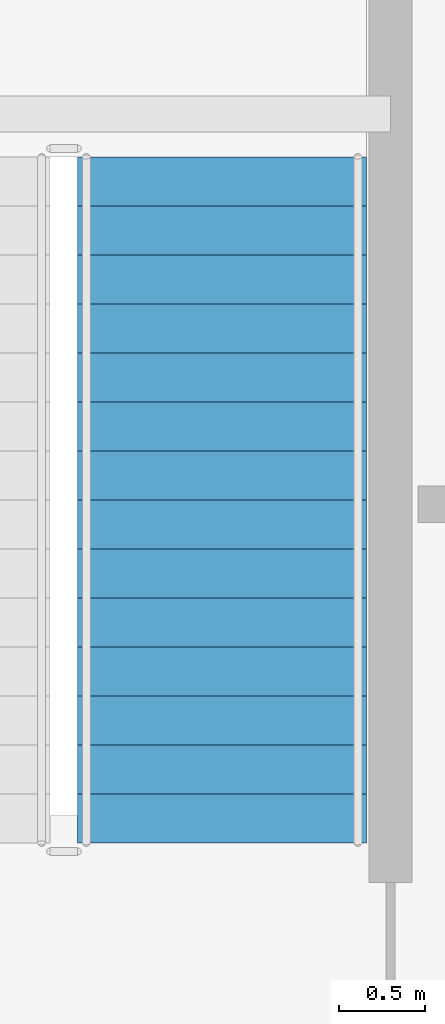
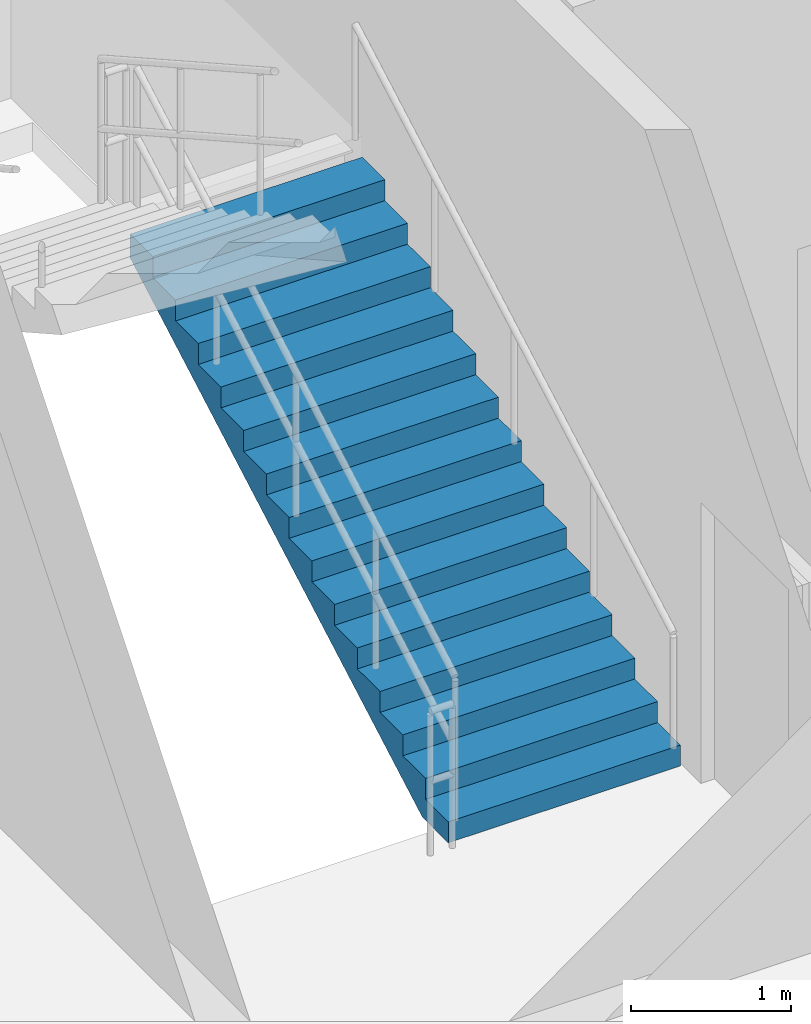
# One storey, part 103 of 116: 1 stair flight, 1 element without a shape of its own.
"""IFC4 building model written with IfcOpenShell, lengths in metres."""

from ifc_helpers import new_model, si_unit, direction, frame, origin, place, context, subcontext, project, spatial, polyline, outline, extrude, material, type_object, element, aggregate, save


model = new_model("IFC4")

# Units and contexts
model_context = context("Model", 3, precision=1e-05, world=origin(), true_north=direction((0.0, 1.0)))
body_context = subcontext(model_context, "Body", "Model", "MODEL_VIEW")
ifc_project = project(units=[si_unit("LENGTHUNIT", "METRE"), si_unit("AREAUNIT", "SQUARE_METRE"), si_unit("VOLUMEUNIT", "CUBIC_METRE"), si_unit("PLANEANGLEUNIT", "RADIAN"), si_unit("MASSUNIT", "GRAM", prefix="KILO")], contexts=[model_context])

# Site, building, storey
site_placement = place(None, origin())
site = spatial("IfcSite", under=ifc_project, at=site_placement, CompositionType="ELEMENT")
building_placement = place(site_placement, origin())
building = spatial("IfcBuilding", under=site, at=building_placement, Name="Selat Folded Stagehouse", CompositionType="ELEMENT")
storey_placement = place(building_placement, frame((0.0, 0.0, 5.39990234375)))
storey = spatial("IfcBuildingStorey", under=building, at=storey_placement, Name="L01", CompositionType="ELEMENT", Elevation=5.39990234375)

# Stair, stair flight
ifc_material = material(Name="Concrete C40/50", Category="concrete")
stair_type = type_object("IfcStairType", Name="STR-DOG-1680-30R", PredefinedType="HALF_TURN_STAIR", material=ifc_material)
stair_placement = place(storey_placement, origin())
stair = element("IfcStair", 1, at=stair_placement, inside=storey, type_object=stair_type, Name="L01 Core 4 Studio East Core", PredefinedType="HALF_TURN_STAIR")
stair_flight_type = type_object("IfcStairFlightType", Name="STF-STR-1680-15R", PredefinedType="STRAIGHT", material=ifc_material)
stair_flight_placement = place(storey_placement, frame((155.0400390625, 17.6298828125, 0.0), z_axis=(0.0, 0.0, 1.0), x_axis=(0.0, 1.0, 0.0)))
stair_flight = element("IfcStairFlight", 2, at=stair_flight_placement, type_object=stair_flight_type, Name="ST-1680-30R flight 1", NumberOfRisers=15, NumberOfTreads=14, PredefinedType="STRAIGHT", RiserHeight=0.16, TreadLength=0.285, context=body_context, shape_type="SweptSolid", body=[
    extrude(outline(polyline([(0.0, 0.0), (0.0, 0.159912109375), (0.284912109375, 0.159912109375), (0.284912109375, 0.320068359375), (0.570068359375, 0.320068359375), (0.570068359375, 0.47998046875), (0.85498046875, 0.47998046875), (0.85498046875, 0.639892578125), (1.139892578125, 0.639892578125), (1.139892578125, 0.800048828125), (1.425048828125, 0.800048828125), (1.425048828125, 0.9599609375), (1.7099609375, 0.9599609375), (1.7099609375, 1.1201171875), (1.9951171875, 1.1201171875), (1.9951171875, 1.280029296875), (2.280029296875, 1.280029296875), (2.280029296875, 1.43994140625), (2.56494140625, 1.43994140625), (2.56494140625, 1.60009765625), (2.85009765625, 1.60009765625), (2.85009765625, 1.760009765625), (3.135009765625, 1.760009765625), (3.135009765625, 1.919921875), (3.419921875, 1.919921875), (3.419921875, 2.080078125), (3.705078125, 2.080078125), (3.705078125, 2.239990234375), (3.989990234375, 2.239990234375), (3.989990234375, 2.39990234375), (3.989990234375, 2.056640625), (0.32666015625, 0.0), (0.0, 0.0)])), frame((0.0, 0.83984375, 0.0), z_axis=(0.0, -1.0, 0.0), x_axis=(1.0, 0.0, 0.0)), (0.0, 0.0, 1.0), 1.679931640625),
])
aggregate(stair, [stair_flight])

save(model, "model.ifc")
